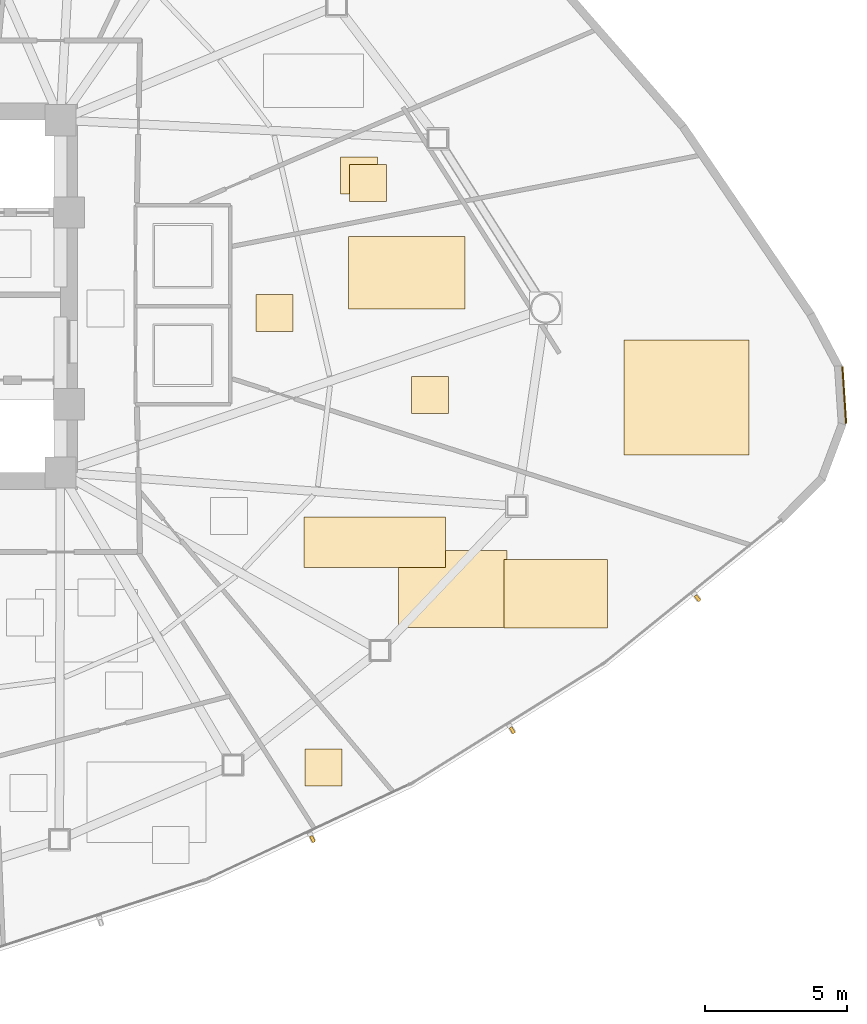
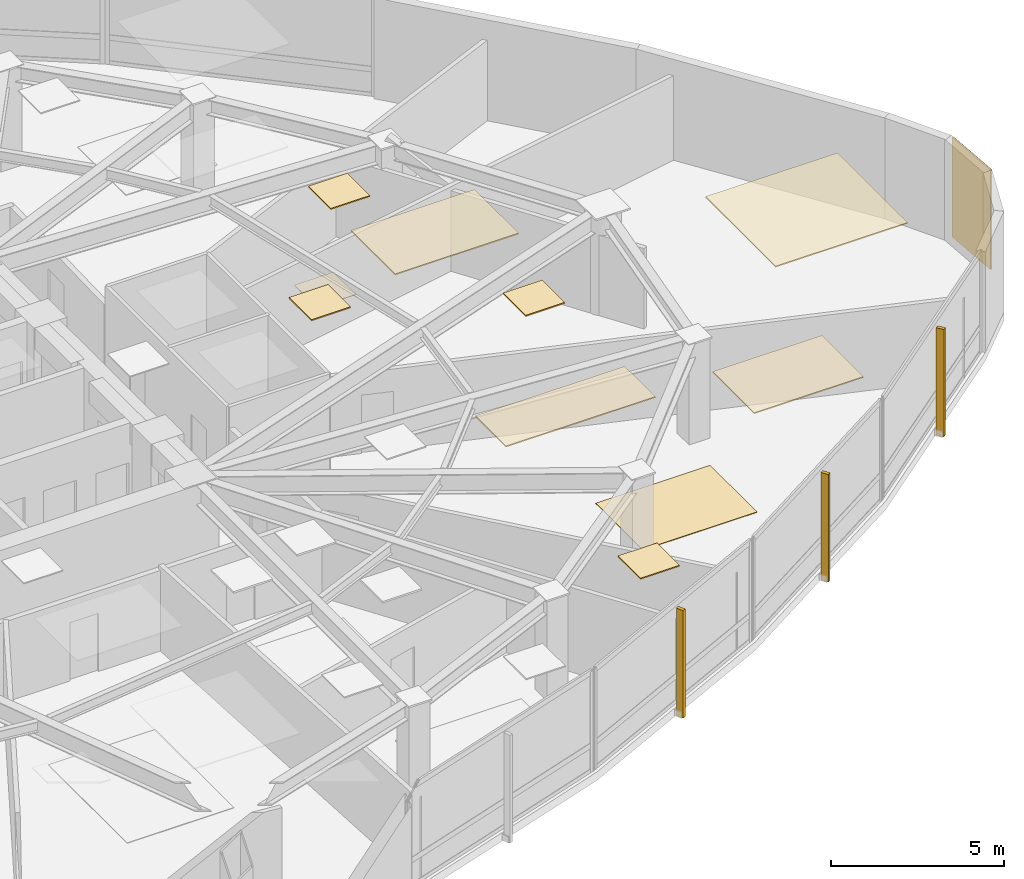
# One storey, part 16 of 17: 11 coverings, 3 shading devices.
"""IFC4 building model written with IfcOpenShell, lengths in metres."""

import ifcopenshell
import ifcopenshell.guid

model = None  # the IFC model being written
_history = None  # IfcOwnerHistory: only IFC2X3 demands one
_inside = {}  # id of a spatial element -> (the spatial element, [elements in it])
_under = {}  # id of a project, library or spatial element -> (it, [spatial elements below it])
_declared = {}  # id of a project -> (the project, [libraries it declares])
_typed = {}  # id of a type object -> (the type object, [elements of that type])
_made_of = {}  # id of a material, layer set ... -> (it, [elements and type objects made of it])


def new_model(schema):
    """Start an empty IFC model of exactly this schema.

    Asked for "IFC4X3", IfcOpenShell would pick the latest addendum, in which some entities
    have other attributes; the version numbers below select the first issue.
    IFC2X3 requires an IfcOwnerHistory on every rooted entity: one is made here for all.
    """
    global model, _history
    if schema == "IFC4X3":
        model = ifcopenshell.file(schema_version=(4, 3, 0, 0))
    else:
        model = ifcopenshell.file(schema=schema)
    _inside.clear()
    _under.clear()
    _declared.clear()
    _typed.clear()
    _made_of.clear()
    _history = None
    if model.schema == "IFC2X3":
        org = make("IfcOrganization", Name="unknown")
        user = make(
            "IfcPersonAndOrganization",
            ThePerson=make("IfcPerson", FamilyName="unknown"),
            TheOrganization=org,
        )
        app = make(
            "IfcApplication",
            ApplicationDeveloper=org,
            Version="unknown",
            ApplicationFullName="unknown",
            ApplicationIdentifier="unknown",
        )
        _history = make(
            "IfcOwnerHistory",
            OwningUser=user,
            OwningApplication=app,
            ChangeAction="ADDED",
            CreationDate=0,
        )
    return model


def make(cls, **values):
    """One entity of the class cls with the attributes given. An attribute that is None is left unset."""
    return model.create_entity(
        cls, **{name: value for name, value in values.items() if value is not None}
    )


def rooted(cls, **values):
    """An entity with a GlobalId (a new one), such as an element, a storey or a relation."""
    return make(cls, GlobalId=ifcopenshell.guid.new(), OwnerHistory=_history, **values)


def si_unit(unit_type, name, prefix=None):
    """IfcSIUnit, for example si_unit("LENGTHUNIT", "METRE", prefix="MILLI")."""
    return make("IfcSIUnit", UnitType=unit_type, Prefix=prefix, Name=name)


def assignment(units):
    """IfcUnitAssignment: the units of a project."""
    return None if units is None else make("IfcUnitAssignment", Units=units)


def point(xyz):
    """IfcCartesianPoint."""
    return None if xyz is None else make("IfcCartesianPoint", Coordinates=xyz)


def direction(xyz):
    """IfcDirection."""
    return None if xyz is None else make("IfcDirection", DirectionRatios=xyz)


def frame(location, z_axis=None, x_axis=None):
    """IfcAxis2Placement3D, a coordinate frame: its origin and axes. An axis left out is left unset."""
    return make(
        "IfcAxis2Placement3D",
        Location=point(location),
        Axis=direction(z_axis),
        RefDirection=direction(x_axis),
    )


def frame_2d(location, x_axis=None):
    """IfcAxis2Placement2D, a coordinate frame in the plane: its origin and x axis."""
    return make(
        "IfcAxis2Placement2D", Location=point(location), RefDirection=direction(x_axis)
    )


def origin():
    """The frame at (0, 0, 0) with its axes left unset."""
    return frame((0.0, 0.0, 0.0))


def origin_2d():
    """The frame at (0, 0) in the plane with its x axis left unset."""
    return frame_2d((0.0, 0.0))


def place(relative_to, where):
    """IfcLocalPlacement: puts the frame where relative to a parent placement (None: the world)."""
    return make(
        "IfcLocalPlacement", PlacementRelTo=relative_to, RelativePlacement=where
    )


def context(
    kind, dimensions, precision=None, world=None, true_north=None, identifier=None
):
    """IfcGeometricRepresentationContext, for example the 3D "Model" context."""
    return make(
        "IfcGeometricRepresentationContext",
        ContextIdentifier=identifier,
        ContextType=kind,
        CoordinateSpaceDimension=dimensions,
        Precision=precision,
        WorldCoordinateSystem=world,
        TrueNorth=true_north,
    )


def subcontext(parent, identifier, kind, view, scale=None):
    """IfcGeometricRepresentationSubContext, for example "Body" below "Model"."""
    return make(
        "IfcGeometricRepresentationSubContext",
        ContextIdentifier=identifier,
        ContextType=kind,
        ParentContext=parent,
        TargetScale=scale,
        TargetView=view,
    )


def project(units=None, contexts=None):
    """IfcProject with its units and contexts."""
    return rooted(
        "IfcProject",
        Name="project",
        RepresentationContexts=contexts,
        UnitsInContext=assignment(units),
    )


def spatial(cls, under=None, at=None, **own):
    """A site, building, storey or space (cls), placed at a placement, below another one or the project."""
    s = rooted(cls, ObjectPlacement=at, **own)
    if under is not None:
        _under.setdefault(under.id(), (under, []))[1].append(s)
    return s


def polyline(points):
    """IfcPolyline through the points."""
    return make("IfcPolyline", Points=[point(p) for p in points])


def profile(cls, at=None, kind="AREA", **sizes):
    """A parametric profile (cls). Its sizes go by their IFC names, for example OverallWidth=200.0."""
    return make(cls, ProfileType=kind, Position=at, **sizes)


def rectangle(**sizes):
    """IfcRectangleProfileDef."""
    return profile("IfcRectangleProfileDef", **sizes)


def outline(outer, holes=None, kind="AREA"):
    """IfcArbitraryClosedProfileDef: a profile drawn as a closed curve; with holes, ...WithVoids."""
    if holes is None:
        return make("IfcArbitraryClosedProfileDef", ProfileType=kind, OuterCurve=outer)
    return make(
        "IfcArbitraryProfileDefWithVoids",
        ProfileType=kind,
        OuterCurve=outer,
        InnerCurves=holes,
    )


def extrude(swept, where, along, depth):
    """IfcExtrudedAreaSolid: the profile swept, set in the frame where, extruded along a direction by depth."""
    return make(
        "IfcExtrudedAreaSolid",
        SweptArea=swept,
        Position=where,
        ExtrudedDirection=direction(along),
        Depth=depth,
    )


def shape(context_of_items, identifier, shape_type, items):
    """IfcShapeRepresentation: the items that make up one representation, for example the "Body"."""
    return make(
        "IfcShapeRepresentation",
        ContextOfItems=context_of_items,
        RepresentationIdentifier=identifier,
        RepresentationType=shape_type,
        Items=items,
    )


def source(mapping_origin, context_of_items, identifier, shape_type, items):
    """IfcRepresentationMap: a shape defined once, which mapped items show again and again."""
    return make(
        "IfcRepresentationMap",
        MappingOrigin=mapping_origin,
        MappedRepresentation=shape(context_of_items, identifier, shape_type, items),
    )


def transform(
    local_origin,
    x_axis=None,
    y_axis=None,
    z_axis=None,
    scale=None,
    scale2=None,
    scale3=None,
    uniform=True,
):
    """IfcCartesianTransformationOperator3D, or its non-uniform kind. x_axis, y_axis, z_axis: its Axis1, 2, 3."""
    if uniform:
        return make(
            "IfcCartesianTransformationOperator3D",
            Axis1=direction(x_axis),
            Axis2=direction(y_axis),
            LocalOrigin=point(local_origin),
            Scale=scale,
            Axis3=direction(z_axis),
        )
    return make(
        "IfcCartesianTransformationOperator3DnonUniform",
        Axis1=direction(x_axis),
        Axis2=direction(y_axis),
        LocalOrigin=point(local_origin),
        Scale=scale,
        Axis3=direction(z_axis),
        Scale2=scale2,
        Scale3=scale3,
    )


def mapped(mapping_source, mapping_target):
    """IfcMappedItem: shows the shape of a source again, moved by a transform."""
    return make(
        "IfcMappedItem", MappingSource=mapping_source, MappingTarget=mapping_target
    )


def material(Name=None, Category=None):
    """IfcMaterial."""
    return make("IfcMaterial", Name=Name, Category=Category)


def layer(
    of_material, thickness, ventilated=None, Name=None, Category=None, Priority=None
):
    """IfcMaterialLayer: one layer of a wall or slab, of a material (None: an air gap)."""
    return make(
        "IfcMaterialLayer",
        Material=of_material,
        LayerThickness=thickness,
        IsVentilated=ventilated,
        Name=Name,
        Category=Category,
        Priority=Priority,
    )


def layer_set(layers, Name=None):
    """IfcMaterialLayerSet."""
    return make("IfcMaterialLayerSet", MaterialLayers=layers, LayerSetName=Name)


def made_of(thing, what):
    """Note that an element or type object is made of a material, layer set ...; save() writes the relation."""
    if what is not None:
        _made_of.setdefault(what.id(), (what, []))[1].append(thing)
    return thing


def type_object(cls, material=None, **own):
    """A type object (cls), such as IfcWallType, which elements share."""
    return made_of(rooted(cls, **own), material)


def type_shapes(of_type, sources):
    """Give a type object the sources (RepresentationMaps) that its elements show as mapped items."""
    of_type.RepresentationMaps = sources


def element(
    cls,
    number,
    at=None,
    inside=None,
    cuts=None,
    type_object=None,
    material=None,
    context=None,
    identifier="Body",
    shape_type=None,
    held_by="IfcProductDefinitionShape",
    body=None,
    shapes=None,
    **own,
):
    """One element of the class cls, such as IfcWall. Its Tag is "e" and its number.

    at: its placement. inside: the storey or other place that contains it. cuts: it is an
    opening in that element (IfcRelVoidsElement). A single representation is given by context,
    identifier, shape_type and body (its items); several are given by shapes. held_by: the class
    of the entity that holds the representations. save() writes the other relations.
    """
    e = rooted(cls, Tag="e%d" % number, ObjectPlacement=at, **own)
    if body is not None:
        shapes = [shape(context, identifier, shape_type, body)]
    if shapes is not None:
        e.Representation = make(held_by, Representations=shapes)
    if inside is not None:
        _inside.setdefault(inside.id(), (inside, []))[1].append(e)
    if cuts is not None:
        rooted(
            "IfcRelVoidsElement", RelatingBuildingElement=cuts, RelatedOpeningElement=e
        )
    if type_object is not None:
        _typed.setdefault(type_object.id(), (type_object, []))[1].append(e)
    return made_of(e, material)


def aggregate(whole, parts):
    """IfcRelAggregates: a whole, such as a stair, and the parts it consists of."""
    return rooted("IfcRelAggregates", RelatingObject=whole, RelatedObjects=parts)


def save(model, path):
    """Write the relations noted so far, then the file.

    IfcRelAggregates (storeys below a building ...), IfcRelContainedInSpatialStructure (elements
    in a storey), IfcRelDefinesByType, IfcRelAssociatesMaterial and IfcRelDeclares: one each for
    every whole, place, type object, material and project.
    """
    for whole, parts in _under.values():
        aggregate(whole, parts)
    for where, things in _inside.values():
        rooted(
            "IfcRelContainedInSpatialStructure",
            RelatedElements=things,
            RelatingStructure=where,
        )
    for kind, things in _typed.values():
        rooted("IfcRelDefinesByType", RelatedObjects=things, RelatingType=kind)
    for what, things in _made_of.values():
        rooted("IfcRelAssociatesMaterial", RelatedObjects=things, RelatingMaterial=what)
    for by, libraries in _declared.values():
        rooted("IfcRelDeclares", RelatingContext=by, RelatedDefinitions=libraries)
    model.write(path)


model = new_model("IFC4")

# Units and contexts
model_context = context("Model", 3, precision=1e-05, world=origin(), true_north=direction((0.0, 1.0)))
body_context = subcontext(model_context, "Body", "Model", "MODEL_VIEW")
ifc_project = project(units=[si_unit("LENGTHUNIT", "METRE"), si_unit("AREAUNIT", "SQUARE_METRE"), si_unit("VOLUMEUNIT", "CUBIC_METRE"), si_unit("PLANEANGLEUNIT", "RADIAN"), si_unit("MASSUNIT", "GRAM", prefix="KILO")], contexts=[model_context])

# Site, building, storey
site_placement = place(None, origin())
site = spatial("IfcSite", under=ifc_project, at=site_placement, CompositionType="ELEMENT")
building_placement = place(site_placement, origin())
building = spatial("IfcBuilding", under=site, at=building_placement, Name="Tavelor Broadcast Tower", CompositionType="ELEMENT")
storey_placement = place(building_placement, frame((0.0, 0.0, 123.300048828125)))
storey = spatial("IfcBuildingStorey", under=building, at=storey_placement, Name="L28", CompositionType="ELEMENT", Elevation=123.300048828125)

# Coverings
ifc_material_1 = material(Name="Copper-Bronze Anodized Aluminium", Category="aluminium")
ifc_layer_1 = layer(ifc_material_1, 0.050048828125)
ifc_layer_set_1 = layer_set([ifc_layer_1], Name="Copper-Bronze Anodized Aluminium")
covering_type_1 = type_object("IfcCoveringType", Name="Champagne-Bronze Corner Pier Metal Cladding 50 mm", PredefinedType="CLADDING", material=ifc_layer_set_1)
covering_1_placement = place(storey_placement, frame((84.189453125, 41.52197265625, 0.02001953125), z_axis=(0.0, 0.0, 1.0), x_axis=(-0.06540312923, 0.997858923239, 0.0)))
element("IfcCovering", 1, at=covering_1_placement, inside=storey, type_object=covering_type_1, Name="L28 Champagne-Bronze Corner Cladding 23", PredefinedType="CLADDING", context=body_context, shape_type="SweptSolid", body=[
    extrude(rectangle(XDim=2.002685546875, YDim=0.050048828125, at=origin_2d()), origin(), (0.0, 0.0, 1.0), 3.510009765625),
])
ifc_material_2 = material(Name="Acoustic Nylon Carpet Tile")
ifc_layer_2 = layer(ifc_material_2, 0.02001953125)
ifc_layer_set_2 = layer_set([ifc_layer_2], Name="Acoustic Nylon Carpet Tile")
covering_type_2 = type_object("IfcCoveringType", Name="Heavy-Duty Acoustic Broadcast Carpet Tile 20 mm", PredefinedType="FLOORING", material=ifc_layer_set_2)
covering_2_placement = place(storey_placement, origin())
element("IfcCovering", 2, at=covering_2_placement, inside=storey, type_object=covering_type_2, Name="L28 Broadcast Floor Finish 0389", PredefinedType="FLOORING", context=body_context, shape_type="SweptSolid", body=[
    extrude(outline(polyline([(68.5009765625, 33.3359375), (72.312255859375, 33.3359375), (72.312255859375, 36.04638671875), (68.5009765625, 36.04638671875), (68.5009765625, 33.3359375)])), origin(), (0.0, 0.0, 1.0), 0.02001953125),
])
covering_3_placement = place(storey_placement, origin())
element("IfcCovering", 3, at=covering_3_placement, inside=storey, type_object=covering_type_2, Name="L28 Broadcast Floor Finish 0398", PredefinedType="FLOORING", context=body_context, shape_type="SweptSolid", body=[
    extrude(outline(polyline([(66.4609375, 48.597412109375), (67.760986328125, 48.597412109375), (67.760986328125, 49.8974609375), (66.4609375, 49.8974609375), (66.4609375, 48.597412109375)])), origin(), (0.0, 0.0, 1.0), 0.02001953125),
])
ifc_material_3 = material(Name="Acoustic Mineral Fibre Tile")
ifc_layer_3 = layer(ifc_material_3, 0.0400390625)
ifc_layer_set_3 = layer_set([ifc_layer_3], Name="Acoustic Mineral Fibre Tile")
covering_type_3 = type_object("IfcCoveringType", Name="Suspended Acoustic Mineral-Fibre Office Ceiling 40 mm", PredefinedType="CEILING", material=ifc_layer_set_3)
covering_4_placement = place(storey_placement, frame((0.0, 0.0, 3.510009765625)))
element("IfcCovering", 4, at=covering_4_placement, inside=storey, type_object=covering_type_3, Name="L28 Suspended Acoustic Ceiling 1103", PredefinedType="CEILING", context=body_context, shape_type="SweptSolid", body=[
    extrude(outline(polyline([(72.212890625, 33.330322265625), (75.851806640625, 33.330322265625), (75.851806640625, 35.72802734375), (72.212890625, 35.72802734375), (72.212890625, 33.330322265625)])), origin(), (0.0, 0.0, 1.0), 0.0400390625),
])
covering_5_placement = place(storey_placement, frame((0.0, 0.0, 3.510009765625)))
element("IfcCovering", 5, at=covering_5_placement, inside=storey, type_object=covering_type_3, Name="L28 Suspended Acoustic Ceiling 1105", PredefinedType="CEILING", context=body_context, shape_type="SweptSolid", body=[
    extrude(outline(polyline([(65.16943359375, 35.458740234375), (70.1474609375, 35.458740234375), (70.1474609375, 37.224853515625), (65.16943359375, 37.224853515625), (65.16943359375, 35.458740234375)])), origin(), (0.0, 0.0, 1.0), 0.0400390625),
])
covering_6_placement = place(storey_placement, frame((0.0, 0.0, 3.510009765625)))
element("IfcCovering", 6, at=covering_6_placement, inside=storey, type_object=covering_type_3, Name="L28 Suspended Acoustic Ceiling 1106", PredefinedType="CEILING", context=body_context, shape_type="SweptSolid", body=[
    extrude(outline(polyline([(65.210693359375, 27.764892578125), (66.510498046875, 27.764892578125), (66.510498046875, 29.06494140625), (65.210693359375, 29.06494140625), (65.210693359375, 27.764892578125)])), origin(), (0.0, 0.0, 1.0), 0.0400390625),
])
covering_7_placement = place(storey_placement, frame((0.0, 0.0, 3.510009765625)))
element("IfcCovering", 7, at=covering_7_placement, inside=storey, type_object=covering_type_3, Name="L28 Suspended Acoustic Ceiling 1130", PredefinedType="CEILING", context=body_context, shape_type="SweptSolid", body=[
    extrude(outline(polyline([(66.7724609375, 48.334716796875), (68.072509765625, 48.334716796875), (68.072509765625, 49.634765625), (66.7724609375, 49.634765625), (66.7724609375, 48.334716796875)])), origin(), (0.0, 0.0, 1.0), 0.0400390625),
])
covering_8_placement = place(storey_placement, frame((0.0, 0.0, 3.510009765625)))
element("IfcCovering", 8, at=covering_8_placement, inside=storey, type_object=covering_type_3, Name="L28 Suspended Acoustic Ceiling 1131", PredefinedType="CEILING", context=body_context, shape_type="SweptSolid", body=[
    extrude(outline(polyline([(76.434326171875, 39.4052734375), (80.828125, 39.4052734375), (80.828125, 43.45361328125), (76.434326171875, 43.45361328125), (76.434326171875, 39.4052734375)])), origin(), (0.0, 0.0, 1.0), 0.0400390625),
])
covering_9_placement = place(storey_placement, frame((0.0, 0.0, 3.510009765625)))
element("IfcCovering", 9, at=covering_9_placement, inside=storey, type_object=covering_type_3, Name="L28 Suspended Acoustic Ceiling 1132", PredefinedType="CEILING", context=body_context, shape_type="SweptSolid", body=[
    extrude(outline(polyline([(68.95703125, 40.87060546875), (70.257080078125, 40.87060546875), (70.257080078125, 42.170654296875), (68.95703125, 42.170654296875), (68.95703125, 40.87060546875)])), origin(), (0.0, 0.0, 1.0), 0.0400390625),
])
covering_10_placement = place(storey_placement, frame((0.0, 0.0, 3.510009765625)))
element("IfcCovering", 10, at=covering_10_placement, inside=storey, type_object=covering_type_3, Name="L28 Suspended Acoustic Ceiling 1133", PredefinedType="CEILING", context=body_context, shape_type="SweptSolid", body=[
    extrude(outline(polyline([(63.4912109375, 43.768310546875), (64.791259765625, 43.768310546875), (64.791259765625, 45.068359375), (63.4912109375, 45.068359375), (63.4912109375, 43.768310546875)])), origin(), (0.0, 0.0, 1.0), 0.0400390625),
])
covering_11_placement = place(storey_placement, frame((0.0, 0.0, 3.510009765625)))
element("IfcCovering", 11, at=covering_11_placement, inside=storey, type_object=covering_type_3, Name="L28 Suspended Acoustic Ceiling 1134", PredefinedType="CEILING", context=body_context, shape_type="SweptSolid", body=[
    extrude(outline(polyline([(66.7314453125, 44.553955078125), (70.84765625, 44.553955078125), (70.84765625, 47.096435546875), (66.7314453125, 47.096435546875), (66.7314453125, 44.553955078125)])), origin(), (0.0, 0.0, 1.0), 0.0400390625),
])

# Shading devices
ifc_material_4 = material(Name="Kiln-Fired Glazed Terracotta", Category="masonry")
shading_device_type = type_object("IfcShadingDeviceType", Name="Extruded Terracotta Baguette Sun-Screen 110x240", PredefinedType="JALOUSIE", material=ifc_material_4)
shared_shape = source(origin(), body_context, "Body", "SweptSolid", [
    extrude(rectangle(XDim=0.110107421875, YDim=0.239990234375, at=origin_2d()), origin(), (0.0, 0.0, 1.0), 3.7900390625),
])
type_shapes(shading_device_type, [shared_shape])
for number, where, z_axis, x_axis, name in (
    (12, (65.471923828125, 25.892822265625, -0.260009765625), (0.0, 0.0, 1.0), (0.90571681737, 0.423883293765, 0.0), "L28 Terracotta Baguette Fin 270"),
    (13, (72.506591796875, 29.720458984375, -0.260009765625), (0.0, 0.0, 1.0), (0.847770514843, 0.530363228518, 0.0), "L28 Terracotta Baguette Fin 271"),
    (14, (79.026611328125, 34.371337890625, -0.260009765625), (0.0, 0.0, 1.0), (0.777365588364, 0.629049077599, 0.0), "L28 Terracotta Baguette Fin 272"),
):
    element("IfcShadingDevice", number, at=place(storey_placement, frame(where, z_axis=z_axis, x_axis=x_axis)), inside=storey, type_object=shading_device_type, Name=name, PredefinedType="JALOUSIE", context=body_context, shape_type="MappedRepresentation", body=[
        mapped(shared_shape, transform((0.0, 0.0, 0.0), scale=1.0)),
    ])

save(model, "model.ifc")
